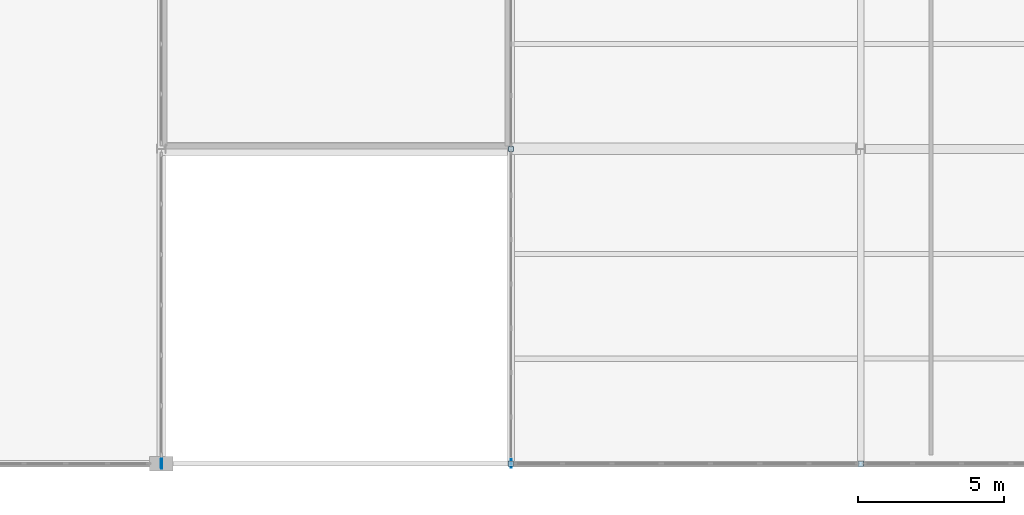
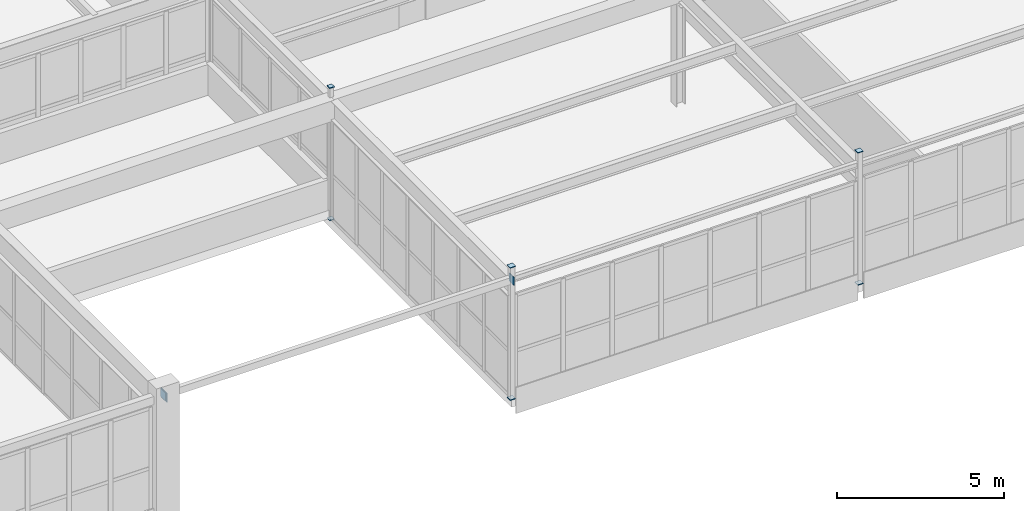
# One storey, part 178 of 226: 9 plates.
"""IFC4 building model written with IfcOpenShell, lengths in metres."""

from ifc_helpers import new_model, si_unit, direction, frame, origin, origin_2d, place, context, subcontext, project, spatial, rectangle, extrude, material, layer, layer_set, type_object, element, save


model = new_model("IFC4")

# Units and contexts
model_context = context("Model", 3, precision=1e-05, world=origin(), true_north=direction((0.0, 1.0)))
body_context = subcontext(model_context, "Body", "Model", "MODEL_VIEW")
ifc_project = project(units=[si_unit("LENGTHUNIT", "METRE"), si_unit("AREAUNIT", "SQUARE_METRE"), si_unit("VOLUMEUNIT", "CUBIC_METRE"), si_unit("PLANEANGLEUNIT", "RADIAN"), si_unit("MASSUNIT", "GRAM", prefix="KILO")], contexts=[model_context])

# Site, building, storey
site_placement = place(None, origin())
site = spatial("IfcSite", under=ifc_project, at=site_placement, CompositionType="ELEMENT")
building_placement = place(site_placement, origin())
building = spatial("IfcBuilding", under=site, at=building_placement, Name="Tarnwether General Hospital", CompositionType="ELEMENT")
storey_placement = place(building_placement, frame((0.0, 0.0, 4.800048828125)))
storey = spatial("IfcBuildingStorey", under=building, at=storey_placement, Name="L01", CompositionType="ELEMENT", Elevation=4.800048828125)

# Plates
ifc_material = material(Name="Steel Grade 350 (350 MPa)", Category="steel")
ifc_layer = layer(ifc_material, 0.02490234375)
ifc_layer_set = layer_set([ifc_layer], Name="Steel Grade 350 (350 MPa)")
plate_type = type_object("IfcPlateType", Name="PT-GUS2", PredefinedType="USERDEFINED", material=ifc_layer_set)
for number, where, z_axis, x_axis, name in (
    (1, (144.0, 0.0, -0.02490234375), (0.0, 0.0, 1.0), (1.0, 0.0, 0.0), "Hollow Section Welded End Cap Plate 0265"),
    (2, (144.0, 0.0, 4.800048828125), (0.0, 0.0, 1.0), (1.0, 0.0, 0.0), "Hollow Section Welded End Cap Plate 0266"),
):
    element("IfcPlate", number, at=place(storey_placement, frame(where, z_axis=z_axis, x_axis=x_axis)), inside=storey, type_object=plate_type, Name=name, ObjectType="GUSSET", PredefinedType="USERDEFINED", context=body_context, shape_type="SweptSolid", body=[
        extrude(rectangle(XDim=0.18994140625, YDim=0.18994140625, at=origin_2d()), origin(), (0.0, 0.0, 1.0), 0.02490234375),
    ])
for number, where, z_axis, x_axis, name in (
    (3, (144.0, 10.800048828125, -0.02490234375), (0.0, 0.0, 1.0), (1.0, 0.0, 0.0), "Hollow Section Welded End Cap Plate 0271"),
    (4, (144.0, 10.800048828125, 4.800048828125), (0.0, 0.0, 1.0), (1.0, 0.0, 0.0), "Hollow Section Welded End Cap Plate 0272"),
):
    element("IfcPlate", number, at=place(storey_placement, frame(where, z_axis=z_axis, x_axis=x_axis)), inside=storey, type_object=plate_type, Name=name, ObjectType="GUSSET", PredefinedType="USERDEFINED", context=body_context, shape_type="SweptSolid", body=[
        extrude(rectangle(XDim=0.1650390625, YDim=0.1650390625, at=origin_2d()), origin(), (0.0, 0.0, 1.0), 0.02490234375),
    ])
for number, where, z_axis, x_axis, name in (
    (5, (156.0, 0.0, -0.02490234375), (0.0, 0.0, 1.0), (1.0, 0.0, 0.0), "Hollow Section Welded End Cap Plate 0313"),
    (6, (156.0, 0.0, 4.800048828125), (0.0, 0.0, 1.0), (1.0, 0.0, 0.0), "Hollow Section Welded End Cap Plate 0314"),
):
    element("IfcPlate", number, at=place(storey_placement, frame(where, z_axis=z_axis, x_axis=x_axis)), inside=storey, type_object=plate_type, Name=name, ObjectType="GUSSET", PredefinedType="USERDEFINED", context=body_context, shape_type="SweptSolid", body=[
        extrude(rectangle(XDim=0.18994140625, YDim=0.18994140625, at=origin_2d()), origin(), (0.0, 0.0, 1.0), 0.02490234375),
    ])
plate_placement = place(storey_placement, frame((132.012451171875, 0.0, 4.125), z_axis=(0.0, 0.0, 1.0), x_axis=(1.0, 0.0, 0.0)))
element("IfcPlate", 7, at=plate_placement, inside=storey, type_object=plate_type, Name="Hollow Section Welded End Cap Plate 0928", ObjectType="GUSSET", PredefinedType="USERDEFINED", context=body_context, shape_type="SweptSolid", body=[
    extrude(rectangle(XDim=0.02490234375, YDim=0.340087890625, at=origin_2d()), origin(), (0.0, 0.0, 1.0), 0.340087890625),
])
for number, where, z_axis, x_axis, name in (
    (8, (131.987548828125, 0.0, 4.175048828125), (0.0, 0.0, 1.0), (1.0, 0.0, 0.0), "Hollow Section Welded End Cap Plate 0929"),
    (9, (144.012451171875, 0.0, 4.175048828125), (0.0, 0.0, 1.0), (1.0, 0.0, 0.0), "Hollow Section Welded End Cap Plate 0930"),
):
    element("IfcPlate", number, at=place(storey_placement, frame(where, z_axis=z_axis, x_axis=x_axis)), inside=storey, type_object=plate_type, Name=name, ObjectType="GUSSET", PredefinedType="USERDEFINED", context=body_context, shape_type="SweptSolid", body=[
        extrude(rectangle(XDim=0.02490234375, YDim=0.2900390625, at=origin_2d()), origin(), (0.0, 0.0, 1.0), 0.2900390625),
    ])

save(model, "model.ifc")
